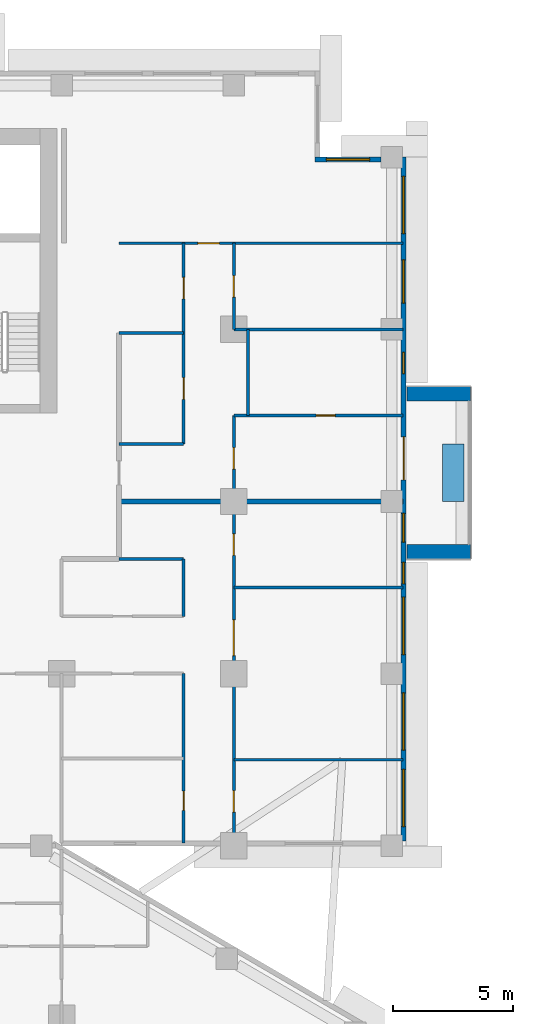
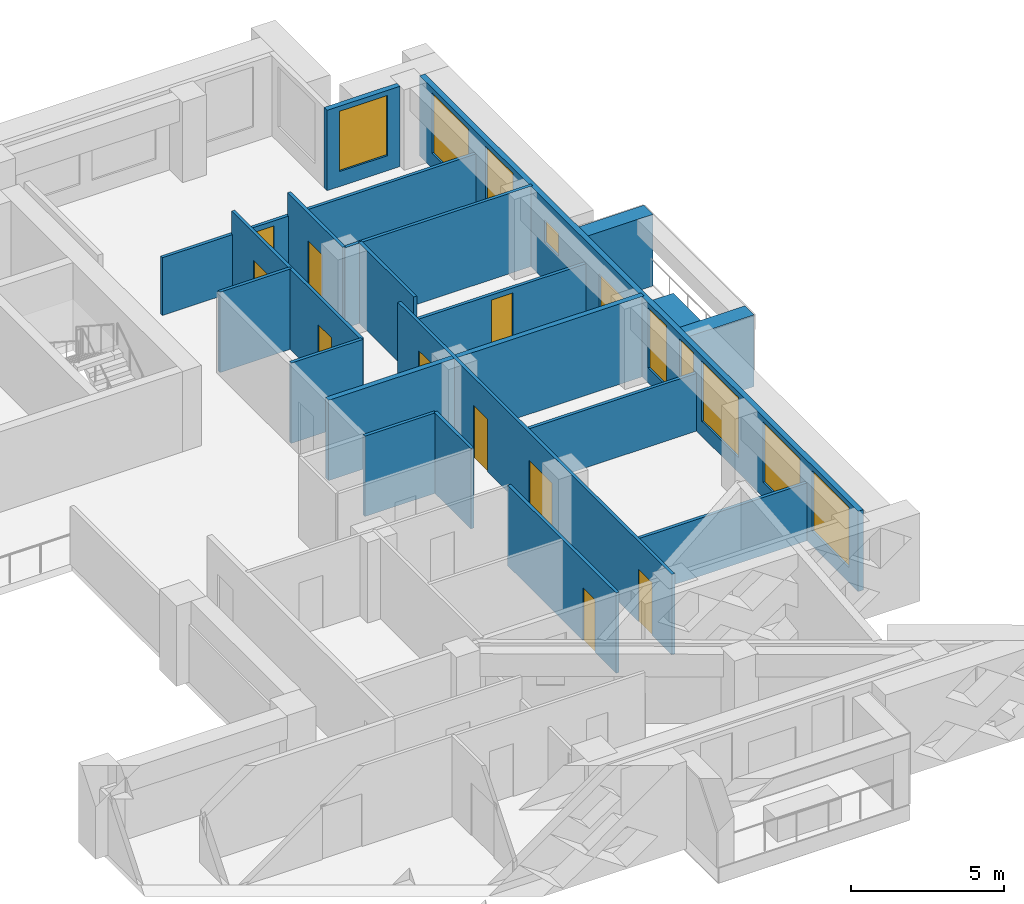
# One storey, part 12 of 20: 20 walls, 11 doors, 9 windows, 20 openings.
"""IFC4 building model written with IfcOpenShell, lengths in metres."""

import ifcopenshell
import ifcopenshell.guid

model = None  # the IFC model being written
_history = None  # IfcOwnerHistory: only IFC2X3 demands one
_inside = {}  # id of a spatial element -> (the spatial element, [elements in it])
_under = {}  # id of a project, library or spatial element -> (it, [spatial elements below it])
_declared = {}  # id of a project -> (the project, [libraries it declares])
_typed = {}  # id of a type object -> (the type object, [elements of that type])
_made_of = {}  # id of a material, layer set ... -> (it, [elements and type objects made of it])


def new_model(schema):
    """Start an empty IFC model of exactly this schema.

    Asked for "IFC4X3", IfcOpenShell would pick the latest addendum, in which some entities
    have other attributes; the version numbers below select the first issue.
    IFC2X3 requires an IfcOwnerHistory on every rooted entity: one is made here for all.
    """
    global model, _history
    if schema == "IFC4X3":
        model = ifcopenshell.file(schema_version=(4, 3, 0, 0))
    else:
        model = ifcopenshell.file(schema=schema)
    _inside.clear()
    _under.clear()
    _declared.clear()
    _typed.clear()
    _made_of.clear()
    _history = None
    if model.schema == "IFC2X3":
        org = make("IfcOrganization", Name="unknown")
        user = make(
            "IfcPersonAndOrganization",
            ThePerson=make("IfcPerson", FamilyName="unknown"),
            TheOrganization=org,
        )
        app = make(
            "IfcApplication",
            ApplicationDeveloper=org,
            Version="unknown",
            ApplicationFullName="unknown",
            ApplicationIdentifier="unknown",
        )
        _history = make(
            "IfcOwnerHistory",
            OwningUser=user,
            OwningApplication=app,
            ChangeAction="ADDED",
            CreationDate=0,
        )
    return model


def make(cls, **values):
    """One entity of the class cls with the attributes given. An attribute that is None is left unset."""
    return model.create_entity(
        cls, **{name: value for name, value in values.items() if value is not None}
    )


def rooted(cls, **values):
    """An entity with a GlobalId (a new one), such as an element, a storey or a relation."""
    return make(cls, GlobalId=ifcopenshell.guid.new(), OwnerHistory=_history, **values)


def si_unit(unit_type, name, prefix=None):
    """IfcSIUnit, for example si_unit("LENGTHUNIT", "METRE", prefix="MILLI")."""
    return make("IfcSIUnit", UnitType=unit_type, Prefix=prefix, Name=name)


def assignment(units):
    """IfcUnitAssignment: the units of a project."""
    return None if units is None else make("IfcUnitAssignment", Units=units)


def point(xyz):
    """IfcCartesianPoint."""
    return None if xyz is None else make("IfcCartesianPoint", Coordinates=xyz)


def direction(xyz):
    """IfcDirection."""
    return None if xyz is None else make("IfcDirection", DirectionRatios=xyz)


def frame(location, z_axis=None, x_axis=None):
    """IfcAxis2Placement3D, a coordinate frame: its origin and axes. An axis left out is left unset."""
    return make(
        "IfcAxis2Placement3D",
        Location=point(location),
        Axis=direction(z_axis),
        RefDirection=direction(x_axis),
    )


def frame_2d(location, x_axis=None):
    """IfcAxis2Placement2D, a coordinate frame in the plane: its origin and x axis."""
    return make(
        "IfcAxis2Placement2D", Location=point(location), RefDirection=direction(x_axis)
    )


def origin():
    """The frame at (0, 0, 0) with its axes left unset."""
    return frame((0.0, 0.0, 0.0))


def place(relative_to, where):
    """IfcLocalPlacement: puts the frame where relative to a parent placement (None: the world)."""
    return make(
        "IfcLocalPlacement", PlacementRelTo=relative_to, RelativePlacement=where
    )


def context(
    kind, dimensions, precision=None, world=None, true_north=None, identifier=None
):
    """IfcGeometricRepresentationContext, for example the 3D "Model" context."""
    return make(
        "IfcGeometricRepresentationContext",
        ContextIdentifier=identifier,
        ContextType=kind,
        CoordinateSpaceDimension=dimensions,
        Precision=precision,
        WorldCoordinateSystem=world,
        TrueNorth=true_north,
    )


def subcontext(parent, identifier, kind, view, scale=None):
    """IfcGeometricRepresentationSubContext, for example "Body" below "Model"."""
    return make(
        "IfcGeometricRepresentationSubContext",
        ContextIdentifier=identifier,
        ContextType=kind,
        ParentContext=parent,
        TargetScale=scale,
        TargetView=view,
    )


def project(units=None, contexts=None):
    """IfcProject with its units and contexts."""
    return rooted(
        "IfcProject",
        Name="project",
        RepresentationContexts=contexts,
        UnitsInContext=assignment(units),
    )


def spatial(cls, under=None, at=None, **own):
    """A site, building, storey or space (cls), placed at a placement, below another one or the project."""
    s = rooted(cls, ObjectPlacement=at, **own)
    if under is not None:
        _under.setdefault(under.id(), (under, []))[1].append(s)
    return s


def profile(cls, at=None, kind="AREA", **sizes):
    """A parametric profile (cls). Its sizes go by their IFC names, for example OverallWidth=200.0."""
    return make(cls, ProfileType=kind, Position=at, **sizes)


def rectangle(**sizes):
    """IfcRectangleProfileDef."""
    return profile("IfcRectangleProfileDef", **sizes)


def extrude(swept, where, along, depth):
    """IfcExtrudedAreaSolid: the profile swept, set in the frame where, extruded along a direction by depth."""
    return make(
        "IfcExtrudedAreaSolid",
        SweptArea=swept,
        Position=where,
        ExtrudedDirection=direction(along),
        Depth=depth,
    )


def shape(context_of_items, identifier, shape_type, items):
    """IfcShapeRepresentation: the items that make up one representation, for example the "Body"."""
    return make(
        "IfcShapeRepresentation",
        ContextOfItems=context_of_items,
        RepresentationIdentifier=identifier,
        RepresentationType=shape_type,
        Items=items,
    )


def material(Name=None, Category=None):
    """IfcMaterial."""
    return make("IfcMaterial", Name=Name, Category=Category)


def layer(
    of_material, thickness, ventilated=None, Name=None, Category=None, Priority=None
):
    """IfcMaterialLayer: one layer of a wall or slab, of a material (None: an air gap)."""
    return make(
        "IfcMaterialLayer",
        Material=of_material,
        LayerThickness=thickness,
        IsVentilated=ventilated,
        Name=Name,
        Category=Category,
        Priority=Priority,
    )


def layer_set(layers, Name=None):
    """IfcMaterialLayerSet."""
    return make("IfcMaterialLayerSet", MaterialLayers=layers, LayerSetName=Name)


def made_of(thing, what):
    """Note that an element or type object is made of a material, layer set ...; save() writes the relation."""
    if what is not None:
        _made_of.setdefault(what.id(), (what, []))[1].append(thing)
    return thing


def type_object(cls, material=None, **own):
    """A type object (cls), such as IfcWallType, which elements share."""
    return made_of(rooted(cls, **own), material)


def element(
    cls,
    number,
    at=None,
    inside=None,
    cuts=None,
    type_object=None,
    material=None,
    context=None,
    identifier="Body",
    shape_type=None,
    held_by="IfcProductDefinitionShape",
    body=None,
    shapes=None,
    **own,
):
    """One element of the class cls, such as IfcWall. Its Tag is "e" and its number.

    at: its placement. inside: the storey or other place that contains it. cuts: it is an
    opening in that element (IfcRelVoidsElement). A single representation is given by context,
    identifier, shape_type and body (its items); several are given by shapes. held_by: the class
    of the entity that holds the representations. save() writes the other relations.
    """
    e = rooted(cls, Tag="e%d" % number, ObjectPlacement=at, **own)
    if body is not None:
        shapes = [shape(context, identifier, shape_type, body)]
    if shapes is not None:
        e.Representation = make(held_by, Representations=shapes)
    if inside is not None:
        _inside.setdefault(inside.id(), (inside, []))[1].append(e)
    if cuts is not None:
        rooted(
            "IfcRelVoidsElement", RelatingBuildingElement=cuts, RelatedOpeningElement=e
        )
    if type_object is not None:
        _typed.setdefault(type_object.id(), (type_object, []))[1].append(e)
    return made_of(e, material)


def fill(opening, filler):
    """IfcRelFillsElement: the door or window that sits in an opening."""
    return rooted(
        "IfcRelFillsElement",
        RelatingOpeningElement=opening,
        RelatedBuildingElement=filler,
    )


def aggregate(whole, parts):
    """IfcRelAggregates: a whole, such as a stair, and the parts it consists of."""
    return rooted("IfcRelAggregates", RelatingObject=whole, RelatedObjects=parts)


def save(model, path):
    """Write the relations noted so far, then the file.

    IfcRelAggregates (storeys below a building ...), IfcRelContainedInSpatialStructure (elements
    in a storey), IfcRelDefinesByType, IfcRelAssociatesMaterial and IfcRelDeclares: one each for
    every whole, place, type object, material and project.
    """
    for whole, parts in _under.values():
        aggregate(whole, parts)
    for where, things in _inside.values():
        rooted(
            "IfcRelContainedInSpatialStructure",
            RelatedElements=things,
            RelatingStructure=where,
        )
    for kind, things in _typed.values():
        rooted("IfcRelDefinesByType", RelatedObjects=things, RelatingType=kind)
    for what, things in _made_of.values():
        rooted("IfcRelAssociatesMaterial", RelatedObjects=things, RelatingMaterial=what)
    for by, libraries in _declared.values():
        rooted("IfcRelDeclares", RelatingContext=by, RelatedDefinitions=libraries)
    model.write(path)


model = new_model("IFC4")

# Units and contexts
model_context = context("Model", 3, precision=1e-05, world=origin(), true_north=direction((0.0, 1.0)))
body_context = subcontext(model_context, "Body", "Model", "MODEL_VIEW")
ifc_project = project(units=[si_unit("LENGTHUNIT", "METRE"), si_unit("AREAUNIT", "SQUARE_METRE"), si_unit("VOLUMEUNIT", "CUBIC_METRE"), si_unit("PLANEANGLEUNIT", "RADIAN"), si_unit("MASSUNIT", "GRAM", prefix="KILO")], contexts=[model_context])

# Site, building, storey
site_placement = place(None, origin())
site = spatial("IfcSite", under=ifc_project, at=site_placement, CompositionType="ELEMENT")
building_placement = place(site_placement, origin())
building = spatial("IfcBuilding", under=site, at=building_placement, Name="Saffron Iwan Residences", CompositionType="ELEMENT")
storey_placement = place(building_placement, frame((0.0, 0.0, 130.5)))
storey = spatial("IfcBuildingStorey", under=building, at=storey_placement, Name="L34", CompositionType="ELEMENT", Elevation=130.5)

# Walls
ifc_material_1 = material(Name="Concrete C50/60 white painted", Category="concrete")
ifc_layer_1 = layer(ifc_material_1, 0.60009765625)
ifc_layer_set_1 = layer_set([ifc_layer_1], Name="Concrete C50/60 white painted")
wall_type_1 = type_object("IfcWallType", Name="BALCONY FIN 600", PredefinedType="SOLIDWALL", material=ifc_layer_set_1)
for number, where, z_axis, x_axis, name in (
    (1, (86.449951171875, 60.300048828125, 0.0), (0.0, 0.0, 1.0), (1.0, 0.0, 0.0), "Balcony fin L34 F2-0a"),
    (2, (86.449951171875, 66.89990234375, 0.0), (0.0, 0.0, 1.0), (1.0, 0.0, 0.0), "Balcony fin L34 F2-0b"),
):
    element("IfcWall", number, at=place(storey_placement, frame(where, z_axis=z_axis, x_axis=x_axis)), inside=storey, type_object=wall_type_1, Name=name, PredefinedType="SOLIDWALL", context=body_context, shape_type="SweptSolid", body=[
        extrude(rectangle(XDim=2.650146484375, YDim=0.60009765625, at=frame_2d((1.3251953125, 0.0))), origin(), (0.0, 0.0, 1.0), 2.85009765625),
    ])
ifc_material_2 = material(Name="Concrete C35/45 white painted", Category="concrete")
ifc_layer_2 = layer(ifc_material_2, 0.14990234375)
ifc_layer_set_2 = layer_set([ifc_layer_2], Name="Concrete C35/45 white painted")
wall_type_2 = type_object("IfcWallType", Name="BALCONY PLANTER", PredefinedType="SOLIDWALL", material=ifc_layer_set_2)
wall_1_placement = place(storey_placement, frame((88.375, 62.39990234375, 0.0), z_axis=(0.0, 0.0, 1.0), x_axis=(0.0, 1.0, 0.0)))
element("IfcWall", 3, at=wall_1_placement, inside=storey, type_object=wall_type_2, Name="PLANTER L34 F2-0", PredefinedType="SOLIDWALL", context=body_context, shape_type="SweptSolid", body=[
    extrude(rectangle(XDim=2.400146484375, YDim=0.89990234375, at=frame_2d((1.2001953125, 0.0))), origin(), (0.0, 0.0, 1.0), 0.89990234375),
])

# Wall, openings, door, windows
ifc_material_3 = material(Name="Concrete C40/50", Category="concrete")
ifc_layer_3 = layer(ifc_material_3, 0.199951171875)
ifc_layer_set_3 = layer_set([ifc_layer_3], Name="Concrete C40/50")
wall_type_3 = type_object("IfcWallType", Name="EXTERNAL WALL 200", PredefinedType="SOLIDWALL", material=ifc_layer_set_3)
wall_2_placement = place(storey_placement, frame((86.300048828125, 48.199951171875, 0.0), z_axis=(0.0, 0.0, 1.0), x_axis=(0.0, 1.0, 0.0)))
wall_2 = element("IfcWall", 4, at=wall_2_placement, inside=storey, type_object=wall_type_3, Name="External wall L34 F2.0", PredefinedType="SOLIDWALL", context=body_context, shape_type="SweptSolid", body=[
    extrude(rectangle(XDim=28.60009765625, YDim=0.199951171875, at=frame_2d((14.300048828125, 0.0))), origin(), (0.0, 0.0, 1.0), 3.199951171875),
])
opening_1_placement = place(wall_2_placement, frame((15.10009765625, 0.0, 0.0)))
opening_1 = element("IfcOpeningElement", 5, at=opening_1_placement, cuts=wall_2, Name="Opening BD1", PredefinedType="OPENING", context=body_context, shape_type="SweptSolid", body=[
    extrude(rectangle(XDim=1.800048828125, YDim=2.39990234375, at=frame_2d((0.89990234375, 1.199951171875))), frame((0.0, 0.10986328125, 0.0), z_axis=(0.0, -1.0, 0.0), x_axis=(1.0, 0.0, 0.0)), (0.0, 0.0, 1.0), 0.219970703125),
])
opening_2_placement = place(wall_2_placement, frame((0.60009765625, 0.0, 0.60009765625)))
opening_2 = element("IfcOpeningElement", 6, at=opening_2_placement, cuts=wall_2, Name="Opening W1", PredefinedType="OPENING", context=body_context, shape_type="SweptSolid", body=[
    extrude(rectangle(XDim=2.39990234375, YDim=2.39990234375, at=frame_2d((1.199951171875, 1.199951171875))), frame((0.0, 0.10986328125, 0.0), z_axis=(0.0, -1.0, 0.0), x_axis=(1.0, 0.0, 0.0)), (0.0, 0.0, 1.0), 0.219970703125),
])
opening_3_placement = place(wall_2_placement, frame((3.800048828125, 0.0, 0.60009765625)))
opening_3 = element("IfcOpeningElement", 7, at=opening_3_placement, cuts=wall_2, Name="Opening W1", PredefinedType="OPENING", context=body_context, shape_type="SweptSolid", body=[
    extrude(rectangle(XDim=2.39990234375, YDim=2.39990234375, at=frame_2d((1.199951171875, 1.199951171875))), frame((0.0, 0.10986328125, 0.0), z_axis=(0.0, -1.0, 0.0), x_axis=(1.0, 0.0, 0.0)), (0.0, 0.0, 1.0), 0.219970703125),
])
opening_4_placement = place(wall_2_placement, frame((7.800048828125, 0.0, 0.60009765625)))
opening_4 = element("IfcOpeningElement", 8, at=opening_4_placement, cuts=wall_2, Name="Opening W1", PredefinedType="OPENING", context=body_context, shape_type="SweptSolid", body=[
    extrude(rectangle(XDim=2.39990234375, YDim=2.39990234375, at=frame_2d((1.199951171875, 1.199951171875))), frame((0.0, 0.10986328125, 0.0), z_axis=(0.0, -1.0, 0.0), x_axis=(1.0, 0.0, 0.0)), (0.0, 0.0, 1.0), 0.219970703125),
])
opening_5_placement = place(wall_2_placement, frame((10.75, 0.0, 0.60009765625)))
opening_5 = element("IfcOpeningElement", 9, at=opening_5_placement, cuts=wall_2, Name="Opening W10", PredefinedType="OPENING", context=body_context, shape_type="SweptSolid", body=[
    extrude(rectangle(XDim=0.89990234375, YDim=2.39990234375, at=frame_2d((0.449951171875, 1.199951171875))), frame((0.0, 0.10986328125, 0.0), z_axis=(0.0, -1.0, 0.0), x_axis=(1.0, 0.0, 0.0)), (0.0, 0.0, 1.0), 0.219970703125),
])
opening_6_placement = place(wall_2_placement, frame((12.5, 0.0, 0.60009765625)))
opening_6 = element("IfcOpeningElement", 10, at=opening_6_placement, cuts=wall_2, Name="Opening W3", PredefinedType="OPENING", context=body_context, shape_type="SweptSolid", body=[
    extrude(rectangle(XDim=1.199951171875, YDim=2.39990234375, at=frame_2d((0.60009765625, 1.199951171875))), frame((0.0, 0.10986328125, 0.0), z_axis=(0.0, -1.0, 0.0), x_axis=(1.0, 0.0, 0.0)), (0.0, 0.0, 1.0), 0.219970703125),
])
opening_7_placement = place(wall_2_placement, frame((19.550048828125, 0.0, 1.5)))
opening_7 = element("IfcOpeningElement", 11, at=opening_7_placement, cuts=wall_2, Name="Opening W6", PredefinedType="OPENING", context=body_context, shape_type="SweptSolid", body=[
    extrude(rectangle(XDim=0.89990234375, YDim=0.89990234375, at=frame_2d((0.449951171875, 0.449951171875))), frame((0.0, 0.10986328125, 0.0), z_axis=(0.0, -1.0, 0.0), x_axis=(1.0, 0.0, 0.0)), (0.0, 0.0, 1.0), 0.219970703125),
])
opening_8_placement = place(wall_2_placement, frame((22.5, 0.0, 0.60009765625)))
opening_8 = element("IfcOpeningElement", 12, at=opening_8_placement, cuts=wall_2, Name="Opening W8", PredefinedType="OPENING", context=body_context, shape_type="SweptSolid", body=[
    extrude(rectangle(XDim=1.800048828125, YDim=2.39990234375, at=frame_2d((0.89990234375, 1.199951171875))), frame((0.0, 0.10986328125, 0.0), z_axis=(0.0, -1.0, 0.0), x_axis=(1.0, 0.0, 0.0)), (0.0, 0.0, 1.0), 0.219970703125),
])
opening_9_placement = place(wall_2_placement, frame((25.39990234375, 0.0, 0.60009765625)))
opening_9 = element("IfcOpeningElement", 13, at=opening_9_placement, cuts=wall_2, Name="Opening W1", PredefinedType="OPENING", context=body_context, shape_type="SweptSolid", body=[
    extrude(rectangle(XDim=2.39990234375, YDim=2.39990234375, at=frame_2d((1.199951171875, 1.199951171875))), frame((0.0, 0.10986328125, 0.0), z_axis=(0.0, -1.0, 0.0), x_axis=(1.0, 0.0, 0.0)), (0.0, 0.0, 1.0), 0.219970703125),
])
ifc_material_4 = material(Name="Clear glass, laminated double glazed", Category="glass")
door_type_1 = type_object("IfcDoorType", Name="BALCONY DOOR 1800 x 2400", OperationType="DOUBLE_DOOR_SLIDING", PredefinedType="DOOR", material=ifc_material_4)
door_1_placement = place(opening_1_placement, origin())
door_1 = element("IfcDoor", 14, at=door_1_placement, inside=storey, type_object=door_type_1, Name="Balcony door L34 F2.0", OperationType="DOUBLE_DOOR_SLIDING", OverallHeight=2.39990234375, OverallWidth=1.800048828125, PredefinedType="DOOR", context=body_context, shape_type="SweptSolid", body=[
    extrude(rectangle(XDim=1.800048828125, YDim=2.39990234375, at=frame_2d((0.89990234375, 1.199951171875))), frame((0.0, 0.02490234375, 0.0), z_axis=(0.0, -1.0, 0.0), x_axis=(1.0, 0.0, 0.0)), (0.0, 0.0, 1.0), 0.050048828125),
])
fill(opening_1, door_1)
window_type_1 = type_object("IfcWindowType", Name="WINDOW 1200 x 2400", PartitioningType="SINGLE_PANEL", PredefinedType="WINDOW", material=ifc_material_4)
window_1_placement = place(opening_6_placement, origin())
window_1 = element("IfcWindow", 15, at=window_1_placement, inside=storey, type_object=window_type_1, Name="Window L34 F2.5", OverallHeight=2.39990234375, OverallWidth=1.199951171875, PartitioningType="SINGLE_PANEL", PredefinedType="WINDOW", context=body_context, shape_type="SweptSolid", body=[
    extrude(rectangle(XDim=1.199951171875, YDim=2.39990234375, at=frame_2d((0.60009765625, 1.199951171875))), frame((0.0, 0.030029296875, 0.0), z_axis=(0.0, -1.0, 0.0), x_axis=(1.0, 0.0, 0.0)), (0.0, 0.0, 1.0), 0.06005859375),
])
fill(opening_6, window_1)
window_type_2 = type_object("IfcWindowType", Name="WINDOW 1800 x 2400", PartitioningType="DOUBLE_PANEL_VERTICAL", PredefinedType="WINDOW", material=ifc_material_4)
window_2_placement = place(opening_8_placement, origin())
window_2 = element("IfcWindow", 16, at=window_2_placement, inside=storey, type_object=window_type_2, Name="Window L34 F2.7", OverallHeight=2.39990234375, OverallWidth=1.800048828125, PartitioningType="DOUBLE_PANEL_VERTICAL", PredefinedType="WINDOW", context=body_context, shape_type="SweptSolid", body=[
    extrude(rectangle(XDim=1.800048828125, YDim=2.39990234375, at=frame_2d((0.89990234375, 1.199951171875))), frame((0.0, 0.030029296875, 0.0), z_axis=(0.0, -1.0, 0.0), x_axis=(1.0, 0.0, 0.0)), (0.0, 0.0, 1.0), 0.06005859375),
])
fill(opening_8, window_2)
window_type_3 = type_object("IfcWindowType", Name="WINDOW 2400 x 2400", PartitioningType="DOUBLE_PANEL_VERTICAL", PredefinedType="WINDOW", material=ifc_material_4)
window_3_placement = place(opening_2_placement, origin())
window_3 = element("IfcWindow", 17, at=window_3_placement, inside=storey, type_object=window_type_3, Name="Window L34 F2.1", OverallHeight=2.39990234375, OverallWidth=2.39990234375, PartitioningType="DOUBLE_PANEL_VERTICAL", PredefinedType="WINDOW", context=body_context, shape_type="SweptSolid", body=[
    extrude(rectangle(XDim=2.39990234375, YDim=2.39990234375, at=frame_2d((1.199951171875, 1.199951171875))), frame((0.0, 0.030029296875, 0.0), z_axis=(0.0, -1.0, 0.0), x_axis=(1.0, 0.0, 0.0)), (0.0, 0.0, 1.0), 0.06005859375),
])
fill(opening_2, window_3)
window_4_placement = place(opening_3_placement, origin())
window_4 = element("IfcWindow", 18, at=window_4_placement, inside=storey, type_object=window_type_3, Name="Window L34 F2.2", OverallHeight=2.39990234375, OverallWidth=2.39990234375, PartitioningType="DOUBLE_PANEL_VERTICAL", PredefinedType="WINDOW", context=body_context, shape_type="SweptSolid", body=[
    extrude(rectangle(XDim=2.39990234375, YDim=2.39990234375, at=frame_2d((1.199951171875, 1.199951171875))), frame((0.0, 0.030029296875, 0.0), z_axis=(0.0, -1.0, 0.0), x_axis=(1.0, 0.0, 0.0)), (0.0, 0.0, 1.0), 0.06005859375),
])
fill(opening_3, window_4)
window_5_placement = place(opening_4_placement, origin())
window_5 = element("IfcWindow", 19, at=window_5_placement, inside=storey, type_object=window_type_3, Name="Window L34 F2.3", OverallHeight=2.39990234375, OverallWidth=2.39990234375, PartitioningType="DOUBLE_PANEL_VERTICAL", PredefinedType="WINDOW", context=body_context, shape_type="SweptSolid", body=[
    extrude(rectangle(XDim=2.39990234375, YDim=2.39990234375, at=frame_2d((1.199951171875, 1.199951171875))), frame((0.0, 0.030029296875, 0.0), z_axis=(0.0, -1.0, 0.0), x_axis=(1.0, 0.0, 0.0)), (0.0, 0.0, 1.0), 0.06005859375),
])
fill(opening_4, window_5)
window_6_placement = place(opening_9_placement, origin())
window_6 = element("IfcWindow", 20, at=window_6_placement, inside=storey, type_object=window_type_3, Name="Window L34 F2.8", OverallHeight=2.39990234375, OverallWidth=2.39990234375, PartitioningType="DOUBLE_PANEL_VERTICAL", PredefinedType="WINDOW", context=body_context, shape_type="SweptSolid", body=[
    extrude(rectangle(XDim=2.39990234375, YDim=2.39990234375, at=frame_2d((1.199951171875, 1.199951171875))), frame((0.0, 0.030029296875, 0.0), z_axis=(0.0, -1.0, 0.0), x_axis=(1.0, 0.0, 0.0)), (0.0, 0.0, 1.0), 0.06005859375),
])
fill(opening_9, window_6)
window_type_4 = type_object("IfcWindowType", Name="WINDOW 900 x 2400", PartitioningType="SINGLE_PANEL", PredefinedType="WINDOW", material=ifc_material_4)
window_7_placement = place(opening_5_placement, origin())
window_7 = element("IfcWindow", 21, at=window_7_placement, inside=storey, type_object=window_type_4, Name="Window L34 F2.4", OverallHeight=2.39990234375, OverallWidth=0.89990234375, PartitioningType="SINGLE_PANEL", PredefinedType="WINDOW", context=body_context, shape_type="SweptSolid", body=[
    extrude(rectangle(XDim=0.89990234375, YDim=2.39990234375, at=frame_2d((0.449951171875, 1.199951171875))), frame((0.0, 0.030029296875, 0.0), z_axis=(0.0, -1.0, 0.0), x_axis=(1.0, 0.0, 0.0)), (0.0, 0.0, 1.0), 0.06005859375),
])
fill(opening_5, window_7)
window_type_5 = type_object("IfcWindowType", Name="WINDOW 900 x 900 BATH", PartitioningType="SINGLE_PANEL", PredefinedType="WINDOW", material=ifc_material_4)
window_8_placement = place(opening_7_placement, origin())
window_8 = element("IfcWindow", 22, at=window_8_placement, inside=storey, type_object=window_type_5, Name="Window L34 F2.6", OverallHeight=0.89990234375, OverallWidth=0.89990234375, PartitioningType="SINGLE_PANEL", PredefinedType="WINDOW", context=body_context, shape_type="SweptSolid", body=[
    extrude(rectangle(XDim=0.89990234375, YDim=0.89990234375, at=frame_2d((0.449951171875, 0.449951171875))), frame((0.0, 0.030029296875, 0.0), z_axis=(0.0, -1.0, 0.0), x_axis=(1.0, 0.0, 0.0)), (0.0, 0.0, 1.0), 0.06005859375),
])
fill(opening_7, window_8)

# Wall, opening, window
wall_3_placement = place(storey_placement, frame((85.35009765625, 76.699951171875, 0.0), z_axis=(0.0, 0.0, 1.0), x_axis=(-1.0, 0.0, 0.0)))
wall_3 = element("IfcWall", 23, at=wall_3_placement, inside=storey, type_object=wall_type_3, Name="External wall L34 F3.0", PredefinedType="SOLIDWALL", context=body_context, shape_type="SweptSolid", body=[
    extrude(rectangle(XDim=2.75, YDim=0.199951171875, at=frame_2d((1.375, 0.0))), origin(), (0.0, 0.0, 1.0), 3.199951171875),
])
opening_10_placement = place(wall_3_placement, frame((0.47509765625, 0.0, 0.60009765625)))
opening_10 = element("IfcOpeningElement", 24, at=opening_10_placement, cuts=wall_3, Name="Opening W8", PredefinedType="OPENING", context=body_context, shape_type="SweptSolid", body=[
    extrude(rectangle(XDim=1.800048828125, YDim=2.39990234375, at=frame_2d((0.89990234375, 1.199951171875))), frame((0.0, 0.10986328125, 0.0), z_axis=(0.0, -1.0, 0.0), x_axis=(1.0, 0.0, 0.0)), (0.0, 0.0, 1.0), 0.219970703125),
])
window_9_placement = place(opening_10_placement, origin())
window_9 = element("IfcWindow", 25, at=window_9_placement, inside=storey, type_object=window_type_2, Name="Window L34 F3.0", OverallHeight=2.39990234375, OverallWidth=1.800048828125, PartitioningType="DOUBLE_PANEL_VERTICAL", PredefinedType="WINDOW", context=body_context, shape_type="SweptSolid", body=[
    extrude(rectangle(XDim=1.800048828125, YDim=2.39990234375, at=frame_2d((0.89990234375, 1.199951171875))), frame((0.0, 0.030029296875, 0.0), z_axis=(0.0, -1.0, 0.0), x_axis=(1.0, 0.0, 0.0)), (0.0, 0.0, 1.0), 0.06005859375),
])
fill(opening_10, window_9)

# Walls
ifc_material_5 = material(Name="Fire-rated gypsum board wall")
ifc_layer_4 = layer(ifc_material_5, 0.199951171875)
ifc_layer_set_4 = layer_set([ifc_layer_4], Name="Fire-rated gypsum board wall")
wall_type_4 = type_object("IfcWallType", Name="Flat demising wall 200", PredefinedType="SOLIDWALL", material=ifc_layer_set_4)
wall_4_placement = place(storey_placement, frame((74.39990234375, 62.39990234375, 0.0), z_axis=(0.0, 0.0, 1.0), x_axis=(1.0, 0.0, 0.0)))
element("IfcWall", 26, at=wall_4_placement, inside=storey, type_object=wall_type_4, Name="W-L34-DEMISE-h62.4-74.4", PredefinedType="SOLIDWALL", context=body_context, shape_type="SweptSolid", body=[
    extrude(rectangle(XDim=11.875, YDim=0.199951171875, at=frame_2d((5.9375, 0.0))), origin(), (0.0, 0.0, 1.0), 3.199951171875),
])
ifc_material_6 = material(Name="Gypsum board partition")
ifc_layer_5 = layer(ifc_material_6, 0.1201171875)
ifc_layer_set_5 = layer_set([ifc_layer_5], Name="Gypsum board partition")
wall_type_5 = type_object("IfcWallType", Name="Flat partition 120", PredefinedType="PARTITIONING", material=ifc_layer_set_5)
for number, where, z_axis, x_axis, name in (
    (27, (79.199951171875, 51.60009765625, 0.0), (0.0, 0.0, 1.0), (1.0, 0.0, 0.0), "W-L34-PART-h51.6-79.2"),
    (28, (79.199951171875, 58.800048828125, 0.0), (0.0, 0.0, 1.0), (1.0, 0.0, 0.0), "W-L34-PART-h58.8-79.2"),
):
    element("IfcWall", number, at=place(storey_placement, frame(where, z_axis=z_axis, x_axis=x_axis)), inside=storey, type_object=wall_type_5, Name=name, PredefinedType="PARTITIONING", context=body_context, shape_type="SweptSolid", body=[
        extrude(rectangle(XDim=7.074951171875, YDim=0.1201171875, at=frame_2d((3.53759765625, 0.0))), origin(), (0.0, 0.0, 1.0), 2.300048828125),
    ])
for number, where, z_axis, x_axis, name in (
    (29, (74.39990234375, 60.0, 0.0), (0.0, 0.0, 1.0), (1.0, 0.0, 0.0), "W-L34-PART-h60-74.4"),
    (30, (74.39990234375, 64.800048828125, 0.0), (0.0, 0.0, 1.0), (1.0, 0.0, 0.0), "W-L34-PART-h64.8-74.4"),
):
    element("IfcWall", number, at=place(storey_placement, frame(where, z_axis=z_axis, x_axis=x_axis)), inside=storey, type_object=wall_type_5, Name=name, PredefinedType="PARTITIONING", context=body_context, shape_type="SweptSolid", body=[
        extrude(rectangle(XDim=2.7001953125, YDim=0.1201171875, at=frame_2d((1.35009765625, 0.0))), origin(), (0.0, 0.0, 1.0), 3.199951171875),
    ])

# Wall, opening, door
wall_5_placement = place(storey_placement, frame((79.199951171875, 66.0, 0.0), z_axis=(0.0, 0.0, 1.0), x_axis=(1.0, 0.0, 0.0)))
wall_5 = element("IfcWall", 31, at=wall_5_placement, inside=storey, type_object=wall_type_5, Name="W-L34-PART-h66-79.2", PredefinedType="PARTITIONING", context=body_context, shape_type="SweptSolid", body=[
    extrude(rectangle(XDim=7.074951171875, YDim=0.1201171875, at=frame_2d((3.53759765625, 0.0))), origin(), (0.0, 0.0, 1.0), 2.300048828125),
])
opening_11_placement = place(wall_5_placement, frame((3.4375, 0.0, 0.0)))
opening_11 = element("IfcOpeningElement", 32, at=opening_11_placement, cuts=wall_5, Name="Opening FD3", PredefinedType="OPENING", context=body_context, shape_type="SweptSolid", body=[
    extrude(rectangle(XDim=0.800048828125, YDim=2.10009765625, at=frame_2d((0.39990234375, 1.050048828125))), frame((0.0, 0.070068359375, 0.0), z_axis=(0.0, -1.0, 0.0), x_axis=(1.0, 0.0, 0.0)), (0.0, 0.0, 1.0), 0.14013671875),
])
ifc_material_7 = material(Name="Timber door", Category="wood")
door_type_2 = type_object("IfcDoorType", Name="Bathroom door 800", OperationType="NOTDEFINED", PredefinedType="DOOR", material=ifc_material_7)
door_2_placement = place(opening_11_placement, origin())
door_2 = element("IfcDoor", 33, at=door_2_placement, inside=storey, type_object=door_type_2, Name="Door L34-031", OperationType="SINGLE_SWING_LEFT", OverallHeight=2.10009765625, OverallWidth=0.800048828125, PredefinedType="DOOR", context=body_context, shape_type="SweptSolid", body=[
    extrude(rectangle(XDim=0.800048828125, YDim=2.10009765625, at=frame_2d((0.39990234375, 1.050048828125))), frame((0.0, 0.02490234375, 0.0), z_axis=(0.0, -1.0, 0.0), x_axis=(1.0, 0.0, 0.0)), (0.0, 0.0, 1.0), 0.050048828125),
])
fill(opening_11, door_2)

# Walls
wall_6_placement = place(storey_placement, frame((74.39990234375, 69.449951171875, 0.0), z_axis=(0.0, 0.0, 1.0), x_axis=(1.0, 0.0, 0.0)))
element("IfcWall", 34, at=wall_6_placement, inside=storey, type_object=wall_type_5, Name="W-L34-PART-h69.45-74.4", PredefinedType="PARTITIONING", context=body_context, shape_type="SweptSolid", body=[
    extrude(rectangle(XDim=2.7001953125, YDim=0.1201171875, at=frame_2d((1.35009765625, 0.0))), origin(), (0.0, 0.0, 1.0), 3.199951171875),
])
wall_7_placement = place(storey_placement, frame((79.199951171875, 69.60009765625, 0.0), z_axis=(0.0, 0.0, 1.0), x_axis=(1.0, 0.0, 0.0)))
element("IfcWall", 35, at=wall_7_placement, inside=storey, type_object=wall_type_5, Name="W-L34-PART-h69.6-79.2", PredefinedType="PARTITIONING", context=body_context, shape_type="SweptSolid", body=[
    extrude(rectangle(XDim=7.074951171875, YDim=0.1201171875, at=frame_2d((3.53759765625, 0.0))), origin(), (0.0, 0.0, 1.0), 3.199951171875),
])

# Wall, opening, door
wall_8_placement = place(storey_placement, frame((74.39990234375, 73.199951171875, 0.0), z_axis=(0.0, 0.0, 1.0), x_axis=(1.0, 0.0, 0.0)))
wall_8 = element("IfcWall", 36, at=wall_8_placement, inside=storey, type_object=wall_type_5, Name="W-L34-PART-h73.2-74.4", PredefinedType="PARTITIONING", context=body_context, shape_type="SweptSolid", body=[
    extrude(rectangle(XDim=11.875, YDim=0.1201171875, at=frame_2d((5.9375, 0.0))), origin(), (0.0, 0.0, 1.0), 2.300048828125),
])
opening_12_placement = place(wall_8_placement, frame((3.300048828125, 0.0, 0.0)))
opening_12 = element("IfcOpeningElement", 37, at=opening_12_placement, cuts=wall_8, Name="Opening FD2", PredefinedType="OPENING", context=body_context, shape_type="SweptSolid", body=[
    extrude(rectangle(XDim=0.89990234375, YDim=2.10009765625, at=frame_2d((0.449951171875, 1.050048828125))), frame((0.0, 0.070068359375, 0.0), z_axis=(0.0, -1.0, 0.0), x_axis=(1.0, 0.0, 0.0)), (0.0, 0.0, 1.0), 0.14013671875),
])
door_type_3 = type_object("IfcDoorType", Name="Flat door 900", OperationType="NOTDEFINED", PredefinedType="DOOR", material=ifc_material_7)
door_3_placement = place(opening_12_placement, origin())
door_3 = element("IfcDoor", 38, at=door_3_placement, inside=storey, type_object=door_type_3, Name="Door L34-033", OperationType="SINGLE_SWING_RIGHT", OverallHeight=2.10009765625, OverallWidth=0.89990234375, PredefinedType="DOOR", context=body_context, shape_type="SweptSolid", body=[
    extrude(rectangle(XDim=0.89990234375, YDim=2.10009765625, at=frame_2d((0.449951171875, 1.050048828125))), frame((0.0, 0.02490234375, 0.0), z_axis=(0.0, -1.0, 0.0), x_axis=(1.0, 0.0, 0.0)), (0.0, 0.0, 1.0), 0.050048828125),
])
fill(opening_12, door_3)

wall_9_placement = place(storey_placement, frame((77.10009765625, 48.125, 0.0), z_axis=(0.0, 0.0, 1.0), x_axis=(0.0, 1.0, 0.0)))
wall_9 = element("IfcWall", 39, at=wall_9_placement, inside=storey, type_object=wall_type_5, Name="W-L34-PART-v77.1-48.125", PredefinedType="PARTITIONING", context=body_context, shape_type="SweptSolid", body=[
    extrude(rectangle(XDim=7.074951171875, YDim=0.1201171875, at=frame_2d((3.53759765625, 0.0))), origin(), (0.0, 0.0, 1.0), 3.199951171875),
])
opening_13_placement = place(wall_9_placement, frame((1.362548828125, 0.0, 0.0)))
opening_13 = element("IfcOpeningElement", 40, at=opening_13_placement, cuts=wall_9, Name="Opening FD3", PredefinedType="OPENING", context=body_context, shape_type="SweptSolid", body=[
    extrude(rectangle(XDim=0.800048828125, YDim=2.10009765625, at=frame_2d((0.39990234375, 1.050048828125))), frame((0.0, 0.070068359375, 0.0), z_axis=(0.0, -1.0, 0.0), x_axis=(1.0, 0.0, 0.0)), (0.0, 0.0, 1.0), 0.14013671875),
])
door_4_placement = place(opening_13_placement, origin())
door_4 = element("IfcDoor", 41, at=door_4_placement, inside=storey, type_object=door_type_2, Name="Door L34-017", OperationType="SINGLE_SWING_LEFT", OverallHeight=2.10009765625, OverallWidth=0.800048828125, PredefinedType="DOOR", context=body_context, shape_type="SweptSolid", body=[
    extrude(rectangle(XDim=0.800048828125, YDim=2.10009765625, at=frame_2d((0.39990234375, 1.050048828125))), frame((0.0, 0.02490234375, 0.0), z_axis=(0.0, -1.0, 0.0), x_axis=(1.0, 0.0, 0.0)), (0.0, 0.0, 1.0), 0.050048828125),
])
fill(opening_13, door_4)

# Wall
wall_10_placement = place(storey_placement, frame((77.10009765625, 57.60009765625, 0.0), z_axis=(0.0, 0.0, 1.0), x_axis=(0.0, 1.0, 0.0)))
element("IfcWall", 42, at=wall_10_placement, inside=storey, type_object=wall_type_5, Name="W-L34-PART-v77.1-57.6", PredefinedType="PARTITIONING", context=body_context, shape_type="SweptSolid", body=[
    extrude(rectangle(XDim=2.39990234375, YDim=0.1201171875, at=frame_2d((1.199951171875, 0.0))), origin(), (0.0, 0.0, 1.0), 3.199951171875),
])

# Wall, openings, doors
wall_11_placement = place(storey_placement, frame((77.10009765625, 64.800048828125, 0.0), z_axis=(0.0, 0.0, 1.0), x_axis=(0.0, 1.0, 0.0)))
wall_11 = element("IfcWall", 43, at=wall_11_placement, inside=storey, type_object=wall_type_5, Name="W-L34-PART-v77.1-64.8", PredefinedType="PARTITIONING", context=body_context, shape_type="SweptSolid", body=[
    extrude(rectangle(XDim=8.39990234375, YDim=0.1201171875, at=frame_2d((4.199951171875, 0.0))), origin(), (0.0, 0.0, 1.0), 3.199951171875),
])
opening_14_placement = place(wall_11_placement, frame((1.875, 0.0, 0.0)))
opening_14 = element("IfcOpeningElement", 44, at=opening_14_placement, cuts=wall_11, Name="Opening FD2", PredefinedType="OPENING", context=body_context, shape_type="SweptSolid", body=[
    extrude(rectangle(XDim=0.89990234375, YDim=2.10009765625, at=frame_2d((0.449951171875, 1.050048828125))), frame((0.0, 0.070068359375, 0.0), z_axis=(0.0, -1.0, 0.0), x_axis=(1.0, 0.0, 0.0)), (0.0, 0.0, 1.0), 0.14013671875),
])
opening_15_placement = place(wall_11_placement, frame((6.074951171875, 0.0, 0.0)))
opening_15 = element("IfcOpeningElement", 45, at=opening_15_placement, cuts=wall_11, Name="Opening FD2", PredefinedType="OPENING", context=body_context, shape_type="SweptSolid", body=[
    extrude(rectangle(XDim=0.89990234375, YDim=2.10009765625, at=frame_2d((0.449951171875, 1.050048828125))), frame((0.0, 0.070068359375, 0.0), z_axis=(0.0, -1.0, 0.0), x_axis=(1.0, 0.0, 0.0)), (0.0, 0.0, 1.0), 0.14013671875),
])
door_5_placement = place(opening_14_placement, origin())
door_5 = element("IfcDoor", 46, at=door_5_placement, inside=storey, type_object=door_type_3, Name="Door L34-034", OperationType="SINGLE_SWING_LEFT", OverallHeight=2.10009765625, OverallWidth=0.89990234375, PredefinedType="DOOR", context=body_context, shape_type="SweptSolid", body=[
    extrude(rectangle(XDim=0.89990234375, YDim=2.10009765625, at=frame_2d((0.449951171875, 1.050048828125))), frame((0.0, 0.02490234375, 0.0), z_axis=(0.0, -1.0, 0.0), x_axis=(1.0, 0.0, 0.0)), (0.0, 0.0, 1.0), 0.050048828125),
])
fill(opening_14, door_5)
door_6_placement = place(opening_15_placement, origin())
door_6 = element("IfcDoor", 47, at=door_6_placement, inside=storey, type_object=door_type_3, Name="Door L34-035", OperationType="SINGLE_SWING_LEFT", OverallHeight=2.10009765625, OverallWidth=0.89990234375, PredefinedType="DOOR", context=body_context, shape_type="SweptSolid", body=[
    extrude(rectangle(XDim=0.89990234375, YDim=2.10009765625, at=frame_2d((0.449951171875, 1.050048828125))), frame((0.0, 0.02490234375, 0.0), z_axis=(0.0, -1.0, 0.0), x_axis=(1.0, 0.0, 0.0)), (0.0, 0.0, 1.0), 0.050048828125),
])
fill(opening_15, door_6)

wall_12_placement = place(storey_placement, frame((79.199951171875, 48.125, 0.0), z_axis=(0.0, 0.0, 1.0), x_axis=(0.0, 1.0, 0.0)))
wall_12 = element("IfcWall", 48, at=wall_12_placement, inside=storey, type_object=wall_type_5, Name="W-L34-PART-v79.2-48.125", PredefinedType="PARTITIONING", context=body_context, shape_type="SweptSolid", body=[
    extrude(rectangle(XDim=17.875, YDim=0.1201171875, at=frame_2d((8.9375, 0.0))), origin(), (0.0, 0.0, 1.0), 3.199951171875),
])
opening_16_placement = place(wall_12_placement, frame((1.28759765625, 0.0, 0.0)))
opening_16 = element("IfcOpeningElement", 49, at=opening_16_placement, cuts=wall_12, Name="Opening FD2", PredefinedType="OPENING", context=body_context, shape_type="SweptSolid", body=[
    extrude(rectangle(XDim=0.89990234375, YDim=2.10009765625, at=frame_2d((0.449951171875, 1.050048828125))), frame((0.0, 0.070068359375, 0.0), z_axis=(0.0, -1.0, 0.0), x_axis=(1.0, 0.0, 0.0)), (0.0, 0.0, 1.0), 0.14013671875),
])
opening_17_placement = place(wall_12_placement, frame((7.824951171875, 0.0, 0.0)))
opening_17 = element("IfcOpeningElement", 50, at=opening_17_placement, cuts=wall_12, Name="Opening FD4", PredefinedType="OPENING", context=body_context, shape_type="SweptSolid", body=[
    extrude(rectangle(XDim=1.5, YDim=2.10009765625, at=frame_2d((0.75, 1.050048828125))), frame((0.0, 0.070068359375, 0.0), z_axis=(0.0, -1.0, 0.0), x_axis=(1.0, 0.0, 0.0)), (0.0, 0.0, 1.0), 0.14013671875),
])
opening_18_placement = place(wall_12_placement, frame((12.02490234375, 0.0, 0.0)))
opening_18 = element("IfcOpeningElement", 51, at=opening_18_placement, cuts=wall_12, Name="Opening FD2", PredefinedType="OPENING", context=body_context, shape_type="SweptSolid", body=[
    extrude(rectangle(XDim=0.89990234375, YDim=2.10009765625, at=frame_2d((0.449951171875, 1.050048828125))), frame((0.0, 0.070068359375, 0.0), z_axis=(0.0, -1.0, 0.0), x_axis=(1.0, 0.0, 0.0)), (0.0, 0.0, 1.0), 0.14013671875),
])
opening_19_placement = place(wall_12_placement, frame((15.625, 0.0, 0.0)))
opening_19 = element("IfcOpeningElement", 52, at=opening_19_placement, cuts=wall_12, Name="Opening FD2", PredefinedType="OPENING", context=body_context, shape_type="SweptSolid", body=[
    extrude(rectangle(XDim=0.89990234375, YDim=2.10009765625, at=frame_2d((0.449951171875, 1.050048828125))), frame((0.0, 0.070068359375, 0.0), z_axis=(0.0, -1.0, 0.0), x_axis=(1.0, 0.0, 0.0)), (0.0, 0.0, 1.0), 0.14013671875),
])
door_type_4 = type_object("IfcDoorType", Name="Double door 1500", OperationType="NOTDEFINED", PredefinedType="DOOR", material=ifc_material_7)
door_7_placement = place(opening_17_placement, origin())
door_7 = element("IfcDoor", 53, at=door_7_placement, inside=storey, type_object=door_type_4, Name="Door L34-015", OperationType="SINGLE_SWING_LEFT", OverallHeight=2.10009765625, OverallWidth=1.5, PredefinedType="DOOR", context=body_context, shape_type="SweptSolid", body=[
    extrude(rectangle(XDim=1.5, YDim=2.10009765625, at=frame_2d((0.75, 1.050048828125))), frame((0.0, 0.02490234375, 0.0), z_axis=(0.0, -1.0, 0.0), x_axis=(1.0, 0.0, 0.0)), (0.0, 0.0, 1.0), 0.050048828125),
])
fill(opening_17, door_7)
door_8_placement = place(opening_16_placement, origin())
door_8 = element("IfcDoor", 54, at=door_8_placement, inside=storey, type_object=door_type_3, Name="Door L34-014", OperationType="SINGLE_SWING_LEFT", OverallHeight=2.10009765625, OverallWidth=0.89990234375, PredefinedType="DOOR", context=body_context, shape_type="SweptSolid", body=[
    extrude(rectangle(XDim=0.89990234375, YDim=2.10009765625, at=frame_2d((0.449951171875, 1.050048828125))), frame((0.0, 0.02490234375, 0.0), z_axis=(0.0, -1.0, 0.0), x_axis=(1.0, 0.0, 0.0)), (0.0, 0.0, 1.0), 0.050048828125),
])
fill(opening_16, door_8)
door_9_placement = place(opening_18_placement, origin())
door_9 = element("IfcDoor", 55, at=door_9_placement, inside=storey, type_object=door_type_3, Name="Door L34-016", OperationType="SINGLE_SWING_LEFT", OverallHeight=2.10009765625, OverallWidth=0.89990234375, PredefinedType="DOOR", context=body_context, shape_type="SweptSolid", body=[
    extrude(rectangle(XDim=0.89990234375, YDim=2.10009765625, at=frame_2d((0.449951171875, 1.050048828125))), frame((0.0, 0.02490234375, 0.0), z_axis=(0.0, -1.0, 0.0), x_axis=(1.0, 0.0, 0.0)), (0.0, 0.0, 1.0), 0.050048828125),
])
fill(opening_18, door_9)
door_10_placement = place(opening_19_placement, origin())
door_10 = element("IfcDoor", 56, at=door_10_placement, inside=storey, type_object=door_type_3, Name="Door L34-030", OperationType="SINGLE_SWING_RIGHT", OverallHeight=2.10009765625, OverallWidth=0.89990234375, PredefinedType="DOOR", context=body_context, shape_type="SweptSolid", body=[
    extrude(rectangle(XDim=0.89990234375, YDim=2.10009765625, at=frame_2d((0.449951171875, 1.050048828125))), frame((0.0, 0.02490234375, 0.0), z_axis=(0.0, -1.0, 0.0), x_axis=(1.0, 0.0, 0.0)), (0.0, 0.0, 1.0), 0.050048828125),
])
fill(opening_19, door_10)

# Wall, opening, door
wall_13_placement = place(storey_placement, frame((79.199951171875, 69.60009765625, 0.0), z_axis=(0.0, 0.0, 1.0), x_axis=(0.0, 1.0, 0.0)))
wall_13 = element("IfcWall", 57, at=wall_13_placement, inside=storey, type_object=wall_type_5, Name="W-L34-PART-v79.2-69.6", PredefinedType="PARTITIONING", context=body_context, shape_type="SweptSolid", body=[
    extrude(rectangle(XDim=3.599853515625, YDim=0.1201171875, at=frame_2d((1.7998046875, 0.0))), origin(), (0.0, 0.0, 1.0), 3.199951171875),
])
opening_20_placement = place(wall_13_placement, frame((1.35009765625, 0.0, 0.0)))
opening_20 = element("IfcOpeningElement", 58, at=opening_20_placement, cuts=wall_13, Name="Opening FD2", PredefinedType="OPENING", context=body_context, shape_type="SweptSolid", body=[
    extrude(rectangle(XDim=0.89990234375, YDim=2.10009765625, at=frame_2d((0.449951171875, 1.050048828125))), frame((0.0, 0.070068359375, 0.0), z_axis=(0.0, -1.0, 0.0), x_axis=(1.0, 0.0, 0.0)), (0.0, 0.0, 1.0), 0.14013671875),
])
door_11_placement = place(opening_20_placement, origin())
door_11 = element("IfcDoor", 59, at=door_11_placement, inside=storey, type_object=door_type_3, Name="Door L34-032", OperationType="SINGLE_SWING_LEFT", OverallHeight=2.10009765625, OverallWidth=0.89990234375, PredefinedType="DOOR", context=body_context, shape_type="SweptSolid", body=[
    extrude(rectangle(XDim=0.89990234375, YDim=2.10009765625, at=frame_2d((0.449951171875, 1.050048828125))), frame((0.0, 0.02490234375, 0.0), z_axis=(0.0, -1.0, 0.0), x_axis=(1.0, 0.0, 0.0)), (0.0, 0.0, 1.0), 0.050048828125),
])
fill(opening_20, door_11)

# Wall
wall_14_placement = place(storey_placement, frame((79.800048828125, 66.0, 0.0), z_axis=(0.0, 0.0, 1.0), x_axis=(0.0, 1.0, 0.0)))
element("IfcWall", 60, at=wall_14_placement, inside=storey, type_object=wall_type_5, Name="W-L34-PART-v79.8-66", PredefinedType="PARTITIONING", context=body_context, shape_type="SweptSolid", body=[
    extrude(rectangle(XDim=3.60009765625, YDim=0.1201171875, at=frame_2d((1.800048828125, 0.0))), origin(), (0.0, 0.0, 1.0), 3.199951171875),
])

save(model, "model.ifc")
